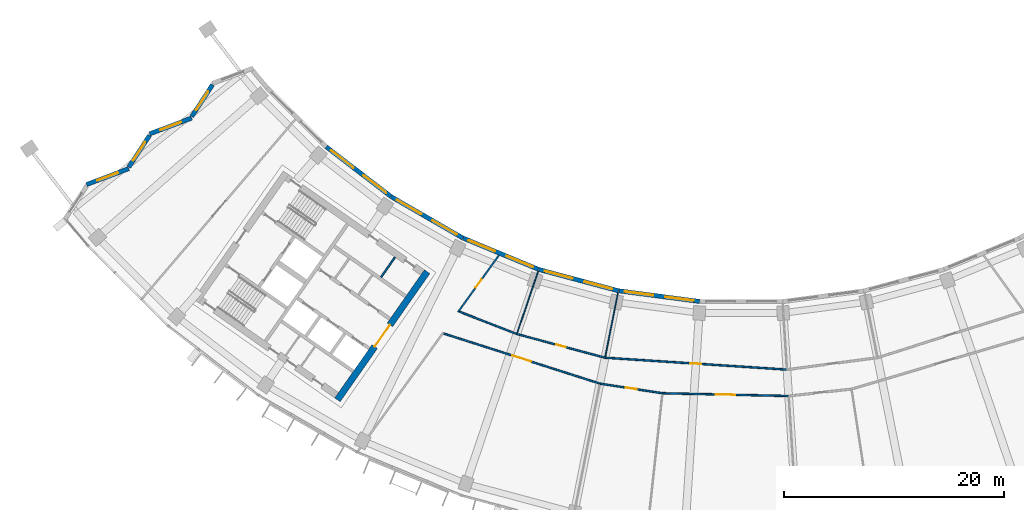
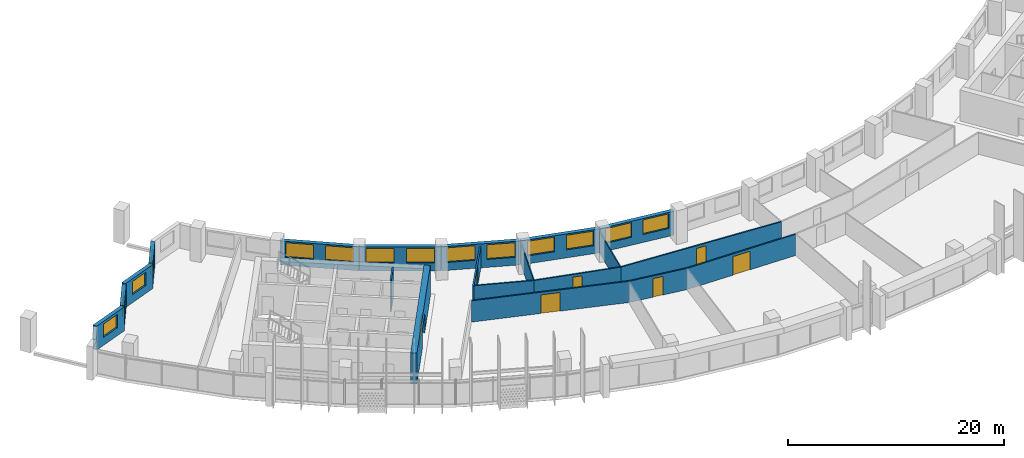
# One storey, part 4 of 27: 20 walls, 14 windows, 7 doors, 21 openings.
"""IFC4 building model written with IfcOpenShell, lengths in metres."""

from ifc_helpers import new_model, si_unit, direction, frame, frame_2d, origin, place, context, subcontext, project, spatial, rectangle, extrude, material, layer, layer_set, type_object, element, fill, save


model = new_model("IFC4")

# Units and contexts
model_context = context("Model", 3, precision=1e-05, world=origin(), true_north=direction((0.0, 1.0)))
body_context = subcontext(model_context, "Body", "Model", "MODEL_VIEW")
ifc_project = project(units=[si_unit("LENGTHUNIT", "METRE"), si_unit("AREAUNIT", "SQUARE_METRE"), si_unit("VOLUMEUNIT", "CUBIC_METRE"), si_unit("PLANEANGLEUNIT", "RADIAN"), si_unit("MASSUNIT", "GRAM", prefix="KILO")], contexts=[model_context])

# Site, building, storey
site_placement = place(None, origin())
site = spatial("IfcSite", under=ifc_project, at=site_placement, CompositionType="ELEMENT")
building_placement = place(site_placement, origin())
building = spatial("IfcBuilding", under=site, at=building_placement, Name="Qamariyya Broadcast Tower", CompositionType="ELEMENT")
storey_placement = place(building_placement, frame((0.0, 0.0, 187.300048828125)))
storey = spatial("IfcBuildingStorey", under=building, at=storey_placement, Name="L44", CompositionType="ELEMENT", Elevation=187.300048828125)

# Wall, opening, door
ifc_material_1 = material(Name="Concrete C60/75", Category="concrete")
ifc_layer_1 = layer(ifc_material_1, 0.60009765625)
ifc_layer_set_1 = layer_set([ifc_layer_1], Name="Core wall 600 mm Concrete C60/75")
wall_type_1 = type_object("IfcWallType", Name="Core wall 600 mm Concrete C60/75", PredefinedType="SHEAR", material=ifc_layer_set_1)
wall_1_placement = place(storey_placement, frame((-36.66748046875, -66.005126953125, 0.0), z_axis=(0.0, 0.0, 1.0), x_axis=(0.573568499524, 0.819157601658, 0.0)))
wall_1 = element("IfcWall", 1, at=wall_1_placement, inside=storey, type_object=wall_type_1, Name="k-W-L44-WA", PredefinedType="SHEAR", context=body_context, shape_type="SweptSolid", body=[
    extrude(rectangle(XDim=14.19970703125, YDim=0.60009765625, at=frame_2d((7.099853515625, 0.0))), origin(), (0.0, 0.0, 1.0), 3.5),
])
opening_1_placement = place(wall_1_placement, frame((5.89990234375, 0.0, 0.0)))
opening_1 = element("IfcOpeningElement", 2, at=opening_1_placement, cuts=wall_1, Name="Opening KD3-W1", PredefinedType="OPENING", context=body_context, shape_type="SweptSolid", body=[
    extrude(rectangle(XDim=2.39990234375, YDim=2.10009765625, at=frame_2d((1.199951171875, 1.050048828125))), frame((0.0, 0.31005859375, 0.0), z_axis=(0.0, -1.0, 0.0), x_axis=(1.0, 0.0, 0.0)), (0.0, 0.0, 1.0), 0.6201171875),
])
ifc_material_2 = material(Name="Steel fire-resisting door leaf", Category="steel")
door_type_1 = type_object("IfcDoorType", Name="Lift lobby door KD3", OperationType="DOUBLE_DOOR_SINGLE_SWING", PredefinedType="DOOR", material=ifc_material_2)
door_1_placement = place(opening_1_placement, origin())
door_1 = element("IfcDoor", 3, at=door_1_placement, inside=storey, type_object=door_type_1, Name="k-W-L44-WA-D1", OperationType="DOUBLE_DOOR_SINGLE_SWING", OverallHeight=2.10009765625, OverallWidth=2.39990234375, PredefinedType="DOOR", context=body_context, shape_type="SweptSolid", body=[
    extrude(rectangle(XDim=2.39990234375, YDim=2.10009765625, at=frame_2d((1.199951171875, 1.050048828125))), frame((0.0, 0.02490234375, 0.0), z_axis=(0.0, -1.0, 0.0), x_axis=(1.0, 0.0, 0.0)), (0.0, 0.0, 1.0), 0.050048828125),
])
fill(opening_1, door_1)

ifc_material_3 = material(Name="Gypsum board partition")
ifc_layer_2 = layer(ifc_material_3, 0.14990234375)
ifc_layer_set_2 = layer_set([ifc_layer_2], Name="Corridor partition 150 EI 60")
wall_type_2 = type_object("IfcWallType", Name="Corridor partition 150 EI 60", PredefinedType="PARTITIONING", material=ifc_layer_set_2)
wall_2_placement = place(storey_placement, frame((-12.8369140625, -64.53564453125, 0.0), z_axis=(0.0, 0.0, 1.0), x_axis=(-0.952206327701, 0.305455576945, 0.0)))
wall_2 = element("IfcWall", 4, at=wall_2_placement, inside=storey, type_object=wall_type_2, Name="Partition L44-003", PredefinedType="PARTITIONING", context=body_context, shape_type="SweptSolid", body=[
    extrude(rectangle(XDim=14.90478515625, YDim=0.14990234375, at=frame_2d((7.452392578125, 0.0))), origin(), (0.0, 0.0, 1.0), 2.39990234375),
])
opening_2_placement = place(wall_2_placement, frame((6.55224609375, 0.0, 0.0)))
opening_2 = element("IfcOpeningElement", 5, at=opening_2_placement, cuts=wall_2, Name="Opening L44-D01", PredefinedType="OPENING", context=body_context, shape_type="SweptSolid", body=[
    extrude(rectangle(XDim=1.800048828125, YDim=2.10009765625, at=frame_2d((0.89990234375, 1.050048828125))), frame((0.0, 0.0849609375, 0.0), z_axis=(0.0, -1.0, 0.0), x_axis=(1.0, 0.0, 0.0)), (0.0, 0.0, 1.0), 0.169921875),
])
ifc_material_4 = material(Name="Timber fire door leaf", Category="wood")
door_type_2 = type_object("IfcDoorType", Name="Double fire door 1800 x 2100 FD60", OperationType="NOTDEFINED", PredefinedType="DOOR", material=ifc_material_4)
door_2_placement = place(opening_2_placement, origin())
door_2 = element("IfcDoor", 6, at=door_2_placement, inside=storey, type_object=door_type_2, Name="Door L44-D01", OperationType="DOUBLE_DOOR_SINGLE_SWING", OverallHeight=2.10009765625, OverallWidth=1.800048828125, PredefinedType="DOOR", context=body_context, shape_type="SweptSolid", body=[
    extrude(rectangle(XDim=1.800048828125, YDim=2.10009765625, at=frame_2d((0.89990234375, 1.050048828125))), frame((0.0, 0.02490234375, 0.0), z_axis=(0.0, -1.0, 0.0), x_axis=(1.0, 0.0, 0.0)), (0.0, 0.0, 1.0), 0.050048828125),
])
fill(opening_2, door_2)

# Wall
wall_3_placement = place(storey_placement, frame((-25.599365234375, -57.998291015625, 0.0), z_axis=(0.0, 0.0, 1.0), x_axis=(0.931580498527, -0.363535108021, 0.0)))
element("IfcWall", 7, at=wall_3_placement, inside=storey, type_object=wall_type_2, Name="Partition L44-004", PredefinedType="PARTITIONING", context=body_context, shape_type="SweptSolid", body=[
    extrude(rectangle(XDim=5.603515625, YDim=0.14990234375, at=frame_2d((2.8017578125, 0.0))), origin(), (0.0, 0.0, 1.0), 2.39990234375),
])

# Wall, opening, door
wall_4_placement = place(storey_placement, frame((-22.0, -52.873046875, 0.0), z_axis=(0.0, 0.0, 1.0), x_axis=(-0.58417014289, -0.811631224236, 0.0)))
wall_4 = element("IfcWall", 8, at=wall_4_placement, inside=storey, type_object=wall_type_2, Name="Partition L44-005", PredefinedType="PARTITIONING", context=body_context, shape_type="SweptSolid", body=[
    extrude(rectangle(XDim=6.356201171875, YDim=0.14990234375, at=frame_2d((3.17822265625, 0.0))), origin(), (0.0, 0.0, 1.0), 2.39990234375),
])
opening_3_placement = place(wall_4_placement, frame((2.72802734375, 0.0, 0.0)))
opening_3 = element("IfcOpeningElement", 9, at=opening_3_placement, cuts=wall_4, Name="Opening L44-D06", PredefinedType="OPENING", context=body_context, shape_type="SweptSolid", body=[
    extrude(rectangle(XDim=0.89990234375, YDim=2.10009765625, at=frame_2d((0.449951171875, 1.050048828125))), frame((0.0, 0.0849609375, 0.0), z_axis=(0.0, -1.0, 0.0), x_axis=(1.0, 0.0, 0.0)), (0.0, 0.0, 1.0), 0.169921875),
])
door_type_3 = type_object("IfcDoorType", Name="Fire door 900 x 2100 FD60", OperationType="NOTDEFINED", PredefinedType="DOOR", material=ifc_material_4)
door_3_placement = place(opening_3_placement, origin())
door_3 = element("IfcDoor", 10, at=door_3_placement, inside=storey, type_object=door_type_3, Name="Door L44-D06", OperationType="SINGLE_SWING_RIGHT", OverallHeight=2.10009765625, OverallWidth=0.89990234375, PredefinedType="DOOR", context=body_context, shape_type="SweptSolid", body=[
    extrude(rectangle(XDim=0.89990234375, YDim=2.10009765625, at=frame_2d((0.449951171875, 1.050048828125))), frame((0.0, 0.02490234375, 0.0), z_axis=(0.0, -1.0, 0.0), x_axis=(1.0, 0.0, 0.0)), (0.0, 0.0, 1.0), 0.050048828125),
])
fill(opening_3, door_3)

wall_5_placement = place(storey_placement, frame((-20.379150390625, -60.035400390625, 0.0), z_axis=(0.0, 0.0, 1.0), x_axis=(0.965923478141, -0.258827808351, 0.0)))
wall_5 = element("IfcWall", 11, at=wall_5_placement, inside=storey, type_object=wall_type_2, Name="Partition L44-006", PredefinedType="PARTITIONING", context=body_context, shape_type="SweptSolid", body=[
    extrude(rectangle(XDim=8.293212890625, YDim=0.14990234375, at=frame_2d((4.146484375, 0.0))), origin(), (0.0, 0.0, 1.0), 2.39990234375),
])
opening_4_placement = place(wall_5_placement, frame((3.696533203125, 0.0, 0.0)))
opening_4 = element("IfcOpeningElement", 12, at=opening_4_placement, cuts=wall_5, Name="Opening L44-D07", PredefinedType="OPENING", context=body_context, shape_type="SweptSolid", body=[
    extrude(rectangle(XDim=0.89990234375, YDim=2.10009765625, at=frame_2d((0.449951171875, 1.050048828125))), frame((0.0, 0.0849609375, 0.0), z_axis=(0.0, -1.0, 0.0), x_axis=(1.0, 0.0, 0.0)), (0.0, 0.0, 1.0), 0.169921875),
])
door_4_placement = place(opening_4_placement, origin())
door_4 = element("IfcDoor", 13, at=door_4_placement, inside=storey, type_object=door_type_3, Name="Door L44-D07", OperationType="SINGLE_SWING_RIGHT", OverallHeight=2.10009765625, OverallWidth=0.89990234375, PredefinedType="DOOR", context=body_context, shape_type="SweptSolid", body=[
    extrude(rectangle(XDim=0.89990234375, YDim=2.10009765625, at=frame_2d((0.449951171875, 1.050048828125))), frame((0.0, 0.02490234375, 0.0), z_axis=(0.0, -1.0, 0.0), x_axis=(1.0, 0.0, 0.0)), (0.0, 0.0, 1.0), 0.050048828125),
])
fill(opening_4, door_4)

wall_6_placement = place(storey_placement, frame((-7.16162109375, -65.4091796875, 0.0), z_axis=(0.0, 0.0, 1.0), x_axis=(-0.988360881462, 0.15212747285, 0.0)))
wall_6 = element("IfcWall", 14, at=wall_6_placement, inside=storey, type_object=wall_type_2, Name="Partition L44-009", PredefinedType="PARTITIONING", context=body_context, shape_type="SweptSolid", body=[
    extrude(rectangle(XDim=5.7421875, YDim=0.14990234375, at=frame_2d((2.87109375, 0.0))), origin(), (0.0, 0.0, 1.0), 2.39990234375),
])
opening_5_placement = place(wall_6_placement, frame((2.37109375, 0.0, 0.0)))
opening_5 = element("IfcOpeningElement", 15, at=opening_5_placement, cuts=wall_6, Name="Opening L44-D02", PredefinedType="OPENING", context=body_context, shape_type="SweptSolid", body=[
    extrude(rectangle(XDim=1.0, YDim=2.10009765625, at=frame_2d((0.5, 1.050048828125))), frame((0.0, 0.0849609375, 0.0), z_axis=(0.0, -1.0, 0.0), x_axis=(1.0, 0.0, 0.0)), (0.0, 0.0, 1.0), 0.169921875),
])
door_type_4 = type_object("IfcDoorType", Name="Fire door 1000 x 2100 FD60", OperationType="NOTDEFINED", PredefinedType="DOOR", material=ifc_material_4)
door_5_placement = place(opening_5_placement, origin())
door_5 = element("IfcDoor", 16, at=door_5_placement, inside=storey, type_object=door_type_4, Name="Door L44-D02", OperationType="SINGLE_SWING_RIGHT", OverallHeight=2.10009765625, OverallWidth=1.0, PredefinedType="DOOR", context=body_context, shape_type="SweptSolid", body=[
    extrude(rectangle(XDim=1.0, YDim=2.10009765625, at=frame_2d((0.5, 1.050048828125))), frame((0.0, 0.02490234375, 0.0), z_axis=(0.0, -1.0, 0.0), x_axis=(1.0, 0.0, 0.0)), (0.0, 0.0, 1.0), 0.050048828125),
])
fill(opening_5, door_5)

wall_7_placement = place(storey_placement, frame((-12.36865234375, -62.181884765625, 0.0), z_axis=(0.0, 0.0, 1.0), x_axis=(0.99785964818, -0.065392067829, 0.0)))
wall_7 = element("IfcWall", 17, at=wall_7_placement, inside=storey, type_object=wall_type_2, Name="Partition L44-010", PredefinedType="PARTITIONING", context=body_context, shape_type="SweptSolid", body=[
    extrude(rectangle(XDim=16.550537109375, YDim=0.14990234375, at=frame_2d((8.275390625, 0.0))), origin(), (0.0, 0.0, 1.0), 2.39990234375),
])
opening_6_placement = place(wall_7_placement, frame((7.775390625, 0.0, 0.0)))
opening_6 = element("IfcOpeningElement", 18, at=opening_6_placement, cuts=wall_7, Name="Opening L44-D08", PredefinedType="OPENING", context=body_context, shape_type="SweptSolid", body=[
    extrude(rectangle(XDim=1.0, YDim=2.10009765625, at=frame_2d((0.5, 1.050048828125))), frame((0.0, 0.0849609375, 0.0), z_axis=(0.0, -1.0, 0.0), x_axis=(1.0, 0.0, 0.0)), (0.0, 0.0, 1.0), 0.169921875),
])
door_6_placement = place(opening_6_placement, origin())
door_6 = element("IfcDoor", 19, at=door_6_placement, inside=storey, type_object=door_type_4, Name="Door L44-D08", OperationType="SINGLE_SWING_RIGHT", OverallHeight=2.10009765625, OverallWidth=1.0, PredefinedType="DOOR", context=body_context, shape_type="SweptSolid", body=[
    extrude(rectangle(XDim=1.0, YDim=2.10009765625, at=frame_2d((0.5, 1.050048828125))), frame((0.0, 0.02490234375, 0.0), z_axis=(0.0, -1.0, 0.0), x_axis=(1.0, 0.0, 0.0)), (0.0, 0.0, 1.0), 0.050048828125),
])
fill(opening_6, door_6)

wall_8_placement = place(storey_placement, frame((4.303466796875, -65.6591796875, 0.0), z_axis=(0.0, 0.0, 1.0), x_axis=(-0.999762348583, 0.021800145758, 0.0)))
wall_8 = element("IfcWall", 20, at=wall_8_placement, inside=storey, type_object=wall_type_2, Name="Partition L44-013", PredefinedType="PARTITIONING", context=body_context, shape_type="SweptSolid", body=[
    extrude(rectangle(XDim=11.4677734375, YDim=0.14990234375, at=frame_2d((5.73388671875, 0.0))), origin(), (0.0, 0.0, 1.0), 2.39990234375),
])
opening_7_placement = place(wall_8_placement, frame((4.833984375, 0.0, 0.0)))
opening_7 = element("IfcOpeningElement", 21, at=opening_7_placement, cuts=wall_8, Name="Opening L44-D03", PredefinedType="OPENING", context=body_context, shape_type="SweptSolid", body=[
    extrude(rectangle(XDim=1.800048828125, YDim=2.10009765625, at=frame_2d((0.89990234375, 1.050048828125))), frame((0.0, 0.0849609375, 0.0), z_axis=(0.0, -1.0, 0.0), x_axis=(1.0, 0.0, 0.0)), (0.0, 0.0, 1.0), 0.169921875),
])
door_7_placement = place(opening_7_placement, origin())
door_7 = element("IfcDoor", 22, at=door_7_placement, inside=storey, type_object=door_type_2, Name="Door L44-D03", OperationType="DOUBLE_DOOR_SINGLE_SWING", OverallHeight=2.10009765625, OverallWidth=1.800048828125, PredefinedType="DOOR", context=body_context, shape_type="SweptSolid", body=[
    extrude(rectangle(XDim=1.800048828125, YDim=2.10009765625, at=frame_2d((0.89990234375, 1.050048828125))), frame((0.0, 0.02490234375, 0.0), z_axis=(0.0, -1.0, 0.0), x_axis=(1.0, 0.0, 0.0)), (0.0, 0.0, 1.0), 0.050048828125),
])
fill(opening_7, door_7)

# Walls
ifc_material_5 = material(Name="Gypsum board partition on steel studs", Category="steel")
ifc_layer_3 = layer(ifc_material_5, 0.14990234375)
ifc_layer_set_3 = layer_set([ifc_layer_3], Name="Gypsum board partition 150 mm")
wall_type_3 = type_object("IfcWallType", Name="Gypsum board partition 150 mm", PredefinedType="PARTITIONING", material=ifc_layer_set_3)
wall_9_placement = place(storey_placement, frame((-32.709228515625, -54.860107421875, 0.0), z_axis=(0.0, 0.0, 1.0), x_axis=(0.573633636671, 0.819111989218, 0.0)))
element("IfcWall", 23, at=wall_9_placement, inside=storey, type_object=wall_type_3, Name="k-W-L44-NP285", PredefinedType="PARTITIONING", context=body_context, shape_type="SweptSolid", body=[
    extrude(rectangle(XDim=2.199951171875, YDim=0.14990234375, at=frame_2d((1.10009765625, 0.0))), origin(), (0.0, 0.0, 1.0), 3.5),
])
ifc_layer_4 = layer(ifc_material_3, 0.10009765625)
ifc_layer_set_4 = layer_set([ifc_layer_4], Name="Partition 100")
wall_type_4 = type_object("IfcWallType", Name="Partition 100", PredefinedType="PARTITIONING", material=ifc_layer_set_4)
wall_10_placement = place(storey_placement, frame((-18.45068359375, -54.353759765625, 0.0), z_axis=(0.0, 0.0, 1.0), x_axis=(-0.321439527266, -0.946930108461, 0.0)))
element("IfcWall", 24, at=wall_10_placement, inside=storey, type_object=wall_type_4, Name="Partition L44-007", PredefinedType="PARTITIONING", context=body_context, shape_type="SweptSolid", body=[
    extrude(rectangle(XDim=5.925048828125, YDim=0.10009765625, at=frame_2d((2.96240234375, 0.0))), origin(), (0.0, 0.0, 1.0), 2.39990234375),
])
wall_11_placement = place(storey_placement, frame((-11.1982421875, -56.297119140625, 0.0), z_axis=(0.0, 0.0, 1.0), x_axis=(-0.195070020718, -0.980789318364, 0.0)))
element("IfcWall", 25, at=wall_11_placement, inside=storey, type_object=wall_type_4, Name="Partition L44-011", PredefinedType="PARTITIONING", context=body_context, shape_type="SweptSolid", body=[
    extrude(rectangle(XDim=5.9248046875, YDim=0.10009765625, at=frame_2d((2.96240234375, 0.0))), origin(), (0.0, 0.0, 1.0), 2.39990234375),
])

# Wall, opening, window
ifc_material_6 = material(Name="Terracotta", Category="masonry")
ifc_layer_5 = layer(ifc_material_6, 0.39990234375)
ifc_layer_set_5 = layer_set([ifc_layer_5], Name="Terracotta clad wall 400")
wall_type_5 = type_object("IfcWallType", Name="Terracotta clad wall 400", PredefinedType="SOLIDWALL", material=ifc_layer_set_5)
wall_12_placement = place(storey_placement, frame((-48.01708984375, -37.403564453125, 0.0), z_axis=(0.0, 0.0, 1.0), x_axis=(-0.546830529598, -0.837243317023, 0.0)))
wall_12 = element("IfcWall", 26, at=wall_12_placement, inside=storey, type_object=wall_type_5, Name="e-wl-L44-capW1", PredefinedType="SOLIDWALL", context=body_context, shape_type="SweptSolid", body=[
    extrude(rectangle(XDim=3.43994140625, YDim=0.39990234375, at=frame_2d((1.719970703125, 0.0))), origin(), (0.0, 0.0, 1.0), 2.699951171875),
])
opening_8_placement = place(wall_12_placement, frame((0.719970703125, 0.0, 0.89990234375)))
opening_8 = element("IfcOpeningElement", 27, at=opening_8_placement, cuts=wall_12, Name="Opening W4", PredefinedType="OPENING", context=body_context, shape_type="SweptSolid", body=[
    extrude(rectangle(XDim=2.0, YDim=1.5, at=frame_2d((1.0, 0.75))), frame((0.0, 0.2099609375, 0.0), z_axis=(0.0, -1.0, 0.0), x_axis=(1.0, 0.0, 0.0)), (0.0, 0.0, 1.0), 0.419921875),
])
ifc_material_7 = material(Name="Clear low-e double glazed unit in aluminium frame", Category="aluminium")
window_type_1 = type_object("IfcWindowType", Name="Horn bay window 2000 x 1500", PartitioningType="SINGLE_PANEL", PredefinedType="WINDOW", material=ifc_material_7)
window_1_placement = place(opening_8_placement, origin())
window_1 = element("IfcWindow", 28, at=window_1_placement, inside=storey, type_object=window_type_1, Name="e-w-L44-capW1", OverallHeight=1.5, OverallWidth=2.0, PartitioningType="SINGLE_PANEL", PredefinedType="WINDOW", context=body_context, shape_type="SweptSolid", body=[
    extrude(rectangle(XDim=2.0, YDim=1.5, at=frame_2d((1.0, 0.75))), frame((0.0, 0.030029296875, 0.0), z_axis=(0.0, -1.0, 0.0), x_axis=(1.0, 0.0, 0.0)), (0.0, 0.0, 1.0), 0.06005859375),
])
fill(opening_8, window_1)

wall_13_placement = place(storey_placement, frame((-49.903076171875, -40.42138671875, 0.0), z_axis=(0.0, 0.0, 1.0), x_axis=(-0.935975275331, -0.352065738136, 0.0)))
wall_13 = element("IfcWall", 29, at=wall_13_placement, inside=storey, type_object=wall_type_5, Name="e-wl-L44-capW2", PredefinedType="SOLIDWALL", context=body_context, shape_type="SweptSolid", body=[
    extrude(rectangle(XDim=4.087890625, YDim=0.39990234375, at=frame_2d((2.0439453125, 0.0))), origin(), (0.0, 0.0, 1.0), 2.699951171875),
])
opening_9_placement = place(wall_13_placement, frame((1.0439453125, 0.0, 0.89990234375)))
opening_9 = element("IfcOpeningElement", 30, at=opening_9_placement, cuts=wall_13, Name="Opening W4", PredefinedType="OPENING", context=body_context, shape_type="SweptSolid", body=[
    extrude(rectangle(XDim=2.0, YDim=1.5, at=frame_2d((1.0, 0.75))), frame((0.0, 0.2099609375, 0.0), z_axis=(0.0, -1.0, 0.0), x_axis=(1.0, 0.0, 0.0)), (0.0, 0.0, 1.0), 0.419921875),
])
window_2_placement = place(opening_9_placement, origin())
window_2 = element("IfcWindow", 31, at=window_2_placement, inside=storey, type_object=window_type_1, Name="e-w-L44-capW2", OverallHeight=1.5, OverallWidth=2.0, PartitioningType="SINGLE_PANEL", PredefinedType="WINDOW", context=body_context, shape_type="SweptSolid", body=[
    extrude(rectangle(XDim=2.0, YDim=1.5, at=frame_2d((1.0, 0.75))), frame((0.0, 0.030029296875, 0.0), z_axis=(0.0, -1.0, 0.0), x_axis=(1.0, 0.0, 0.0)), (0.0, 0.0, 1.0), 0.06005859375),
])
fill(opening_9, window_2)

wall_14_placement = place(storey_placement, frame((-53.734375, -41.998291015625, 0.0), z_axis=(0.0, 0.0, 1.0), x_axis=(-0.546711698714, -0.837320917265, 0.0)))
wall_14 = element("IfcWall", 32, at=wall_14_placement, inside=storey, type_object=wall_type_5, Name="e-wl-L44-capW3", PredefinedType="SOLIDWALL", context=body_context, shape_type="SweptSolid", body=[
    extrude(rectangle(XDim=3.4384765625, YDim=0.39990234375, at=frame_2d((1.71923828125, 0.0))), origin(), (0.0, 0.0, 1.0), 2.699951171875),
])
opening_10_placement = place(wall_14_placement, frame((0.71923828125, 0.0, 0.89990234375)))
opening_10 = element("IfcOpeningElement", 33, at=opening_10_placement, cuts=wall_14, Name="Opening W4", PredefinedType="OPENING", context=body_context, shape_type="SweptSolid", body=[
    extrude(rectangle(XDim=2.0, YDim=1.5, at=frame_2d((1.0, 0.75))), frame((0.0, 0.2099609375, 0.0), z_axis=(0.0, -1.0, 0.0), x_axis=(1.0, 0.0, 0.0)), (0.0, 0.0, 1.0), 0.419921875),
])
window_3_placement = place(opening_10_placement, origin())
window_3 = element("IfcWindow", 34, at=window_3_placement, inside=storey, type_object=window_type_1, Name="e-w-L44-capW3", OverallHeight=1.5, OverallWidth=2.0, PartitioningType="SINGLE_PANEL", PredefinedType="WINDOW", context=body_context, shape_type="SweptSolid", body=[
    extrude(rectangle(XDim=2.0, YDim=1.5, at=frame_2d((1.0, 0.75))), frame((0.0, 0.030029296875, 0.0), z_axis=(0.0, -1.0, 0.0), x_axis=(1.0, 0.0, 0.0)), (0.0, 0.0, 1.0), 0.06005859375),
])
fill(opening_10, window_3)

wall_15_placement = place(storey_placement, frame((-55.619384765625, -45.014892578125, 0.0), z_axis=(0.0, 0.0, 1.0), x_axis=(-0.935918764926, -0.35221593584, 0.0)))
wall_15 = element("IfcWall", 35, at=wall_15_placement, inside=storey, type_object=wall_type_5, Name="e-wl-L44-capW4", PredefinedType="SOLIDWALL", context=body_context, shape_type="SweptSolid", body=[
    extrude(rectangle(XDim=4.0888671875, YDim=0.39990234375, at=frame_2d((2.04443359375, 0.0))), origin(), (0.0, 0.0, 1.0), 2.699951171875),
])
opening_11_placement = place(wall_15_placement, frame((1.04443359375, 0.0, 0.89990234375)))
opening_11 = element("IfcOpeningElement", 36, at=opening_11_placement, cuts=wall_15, Name="Opening W4", PredefinedType="OPENING", context=body_context, shape_type="SweptSolid", body=[
    extrude(rectangle(XDim=2.0, YDim=1.5, at=frame_2d((1.0, 0.75))), frame((0.0, 0.2099609375, 0.0), z_axis=(0.0, -1.0, 0.0), x_axis=(1.0, 0.0, 0.0)), (0.0, 0.0, 1.0), 0.419921875),
])
window_4_placement = place(opening_11_placement, origin())
window_4 = element("IfcWindow", 37, at=window_4_placement, inside=storey, type_object=window_type_1, Name="e-w-L44-capW4", OverallHeight=1.5, OverallWidth=2.0, PartitioningType="SINGLE_PANEL", PredefinedType="WINDOW", context=body_context, shape_type="SweptSolid", body=[
    extrude(rectangle(XDim=2.0, YDim=1.5, at=frame_2d((1.0, 0.75))), frame((0.0, 0.030029296875, 0.0), z_axis=(0.0, -1.0, 0.0), x_axis=(1.0, 0.0, 0.0)), (0.0, 0.0, 1.0), 0.06005859375),
])
fill(opening_11, window_4)

# Wall, openings, windows
wall_16_placement = place(storey_placement, frame((-31.819091796875, -47.529541015625, 0.0), z_axis=(0.0, 0.0, 1.0), x_axis=(-0.79334647843, 0.608770371457, 0.0)))
wall_16 = element("IfcWall", 38, at=wall_16_placement, inside=storey, type_object=wall_type_5, Name="e-wl-L44-in20", PredefinedType="SOLIDWALL", context=body_context, shape_type="SweptSolid", body=[
    extrude(rectangle(XDim=7.380615234375, YDim=0.39990234375, at=frame_2d((3.6904296875, 0.0))), origin(), (0.0, 0.0, 1.0), 2.699951171875),
])
opening_12_placement = place(wall_16_placement, frame((4.25439453125, 0.0, 0.89990234375)))
opening_12 = element("IfcOpeningElement", 39, at=opening_12_placement, cuts=wall_16, Name="Opening W1", PredefinedType="OPENING", context=body_context, shape_type="SweptSolid", body=[
    extrude(rectangle(XDim=2.60009765625, YDim=1.64990234375, at=frame_2d((1.300048828125, 0.824951171875))), frame((0.0, 0.2099609375, 0.0), z_axis=(0.0, -1.0, 0.0), x_axis=(1.0, 0.0, 0.0)), (0.0, 0.0, 1.0), 0.419921875),
])
opening_13_placement = place(wall_16_placement, frame((0.5263671875, 0.0, 0.89990234375)))
opening_13 = element("IfcOpeningElement", 40, at=opening_13_placement, cuts=wall_16, Name="Opening W1", PredefinedType="OPENING", context=body_context, shape_type="SweptSolid", body=[
    extrude(rectangle(XDim=2.60009765625, YDim=1.64990234375, at=frame_2d((1.300048828125, 0.824951171875))), frame((0.0, 0.2099609375, 0.0), z_axis=(0.0, -1.0, 0.0), x_axis=(1.0, 0.0, 0.0)), (0.0, 0.0, 1.0), 0.419921875),
])
window_type_2 = type_object("IfcWindowType", Name="Ribbon window 2600 x 1650", PartitioningType="SINGLE_PANEL", PredefinedType="WINDOW", material=ifc_material_7)
window_5_placement = place(opening_12_placement, origin())
window_5 = element("IfcWindow", 41, at=window_5_placement, inside=storey, type_object=window_type_2, Name="e-w-L44-in02-0", OverallHeight=1.64990234375, OverallWidth=2.60009765625, PartitioningType="SINGLE_PANEL", PredefinedType="WINDOW", context=body_context, shape_type="SweptSolid", body=[
    extrude(rectangle(XDim=2.60009765625, YDim=1.64990234375, at=frame_2d((1.300048828125, 0.824951171875))), frame((0.0, 0.030029296875, 0.0), z_axis=(0.0, -1.0, 0.0), x_axis=(1.0, 0.0, 0.0)), (0.0, 0.0, 1.0), 0.06005859375),
])
fill(opening_12, window_5)
window_6_placement = place(opening_13_placement, origin())
window_6 = element("IfcWindow", 42, at=window_6_placement, inside=storey, type_object=window_type_2, Name="e-w-L44-in02-1", OverallHeight=1.64990234375, OverallWidth=2.60009765625, PartitioningType="SINGLE_PANEL", PredefinedType="WINDOW", context=body_context, shape_type="SweptSolid", body=[
    extrude(rectangle(XDim=2.60009765625, YDim=1.64990234375, at=frame_2d((1.300048828125, 0.824951171875))), frame((0.0, 0.030029296875, 0.0), z_axis=(0.0, -1.0, 0.0), x_axis=(1.0, 0.0, 0.0)), (0.0, 0.0, 1.0), 0.06005859375),
])
fill(opening_13, window_6)

wall_17_placement = place(storey_placement, frame((-25.27734375, -51.31396484375, 0.0), z_axis=(0.0, 0.0, 1.0), x_axis=(-0.866028517328, 0.499994607145, 0.0)))
wall_17 = element("IfcWall", 43, at=wall_17_placement, inside=storey, type_object=wall_type_5, Name="e-wl-L44-in30", PredefinedType="SOLIDWALL", context=body_context, shape_type="SweptSolid", body=[
    extrude(rectangle(XDim=7.5322265625, YDim=0.39990234375, at=frame_2d((3.76611328125, 0.0))), origin(), (0.0, 0.0, 1.0), 2.699951171875),
])
opening_14_placement = place(wall_17_placement, frame((4.330078125, 0.0, 0.89990234375)))
opening_14 = element("IfcOpeningElement", 44, at=opening_14_placement, cuts=wall_17, Name="Opening W1", PredefinedType="OPENING", context=body_context, shape_type="SweptSolid", body=[
    extrude(rectangle(XDim=2.60009765625, YDim=1.64990234375, at=frame_2d((1.300048828125, 0.824951171875))), frame((0.0, 0.2099609375, 0.0), z_axis=(0.0, -1.0, 0.0), x_axis=(1.0, 0.0, 0.0)), (0.0, 0.0, 1.0), 0.419921875),
])
opening_15_placement = place(wall_17_placement, frame((0.60205078125, 0.0, 0.89990234375)))
opening_15 = element("IfcOpeningElement", 45, at=opening_15_placement, cuts=wall_17, Name="Opening W1", PredefinedType="OPENING", context=body_context, shape_type="SweptSolid", body=[
    extrude(rectangle(XDim=2.60009765625, YDim=1.64990234375, at=frame_2d((1.300048828125, 0.824951171875))), frame((0.0, 0.2099609375, 0.0), z_axis=(0.0, -1.0, 0.0), x_axis=(1.0, 0.0, 0.0)), (0.0, 0.0, 1.0), 0.419921875),
])
window_7_placement = place(opening_14_placement, origin())
window_7 = element("IfcWindow", 46, at=window_7_placement, inside=storey, type_object=window_type_2, Name="e-w-L44-in03-0", OverallHeight=1.64990234375, OverallWidth=2.60009765625, PartitioningType="SINGLE_PANEL", PredefinedType="WINDOW", context=body_context, shape_type="SweptSolid", body=[
    extrude(rectangle(XDim=2.60009765625, YDim=1.64990234375, at=frame_2d((1.300048828125, 0.824951171875))), frame((0.0, 0.030029296875, 0.0), z_axis=(0.0, -1.0, 0.0), x_axis=(1.0, 0.0, 0.0)), (0.0, 0.0, 1.0), 0.06005859375),
])
fill(opening_14, window_7)
window_8_placement = place(opening_15_placement, origin())
window_8 = element("IfcWindow", 47, at=window_8_placement, inside=storey, type_object=window_type_2, Name="e-w-L44-in03-1", OverallHeight=1.64990234375, OverallWidth=2.60009765625, PartitioningType="SINGLE_PANEL", PredefinedType="WINDOW", context=body_context, shape_type="SweptSolid", body=[
    extrude(rectangle(XDim=2.60009765625, YDim=1.64990234375, at=frame_2d((1.300048828125, 0.824951171875))), frame((0.0, 0.030029296875, 0.0), z_axis=(0.0, -1.0, 0.0), x_axis=(1.0, 0.0, 0.0)), (0.0, 0.0, 1.0), 0.06005859375),
])
fill(opening_15, window_8)

wall_18_placement = place(storey_placement, frame((-18.433349609375, -54.1455078125, 0.0), z_axis=(0.0, 0.0, 1.0), x_axis=(-0.923867659443, 0.382712095229, 0.0)))
wall_18 = element("IfcWall", 48, at=wall_18_placement, inside=storey, type_object=wall_type_5, Name="e-wl-L44-in40", PredefinedType="SOLIDWALL", context=body_context, shape_type="SweptSolid", body=[
    extrude(rectangle(XDim=7.380859375, YDim=0.39990234375, at=frame_2d((3.6904296875, 0.0))), origin(), (0.0, 0.0, 1.0), 2.699951171875),
])
opening_16_placement = place(wall_18_placement, frame((4.25439453125, 0.0, 0.89990234375)))
opening_16 = element("IfcOpeningElement", 49, at=opening_16_placement, cuts=wall_18, Name="Opening W1", PredefinedType="OPENING", context=body_context, shape_type="SweptSolid", body=[
    extrude(rectangle(XDim=2.60009765625, YDim=1.64990234375, at=frame_2d((1.300048828125, 0.824951171875))), frame((0.0, 0.2099609375, 0.0), z_axis=(0.0, -1.0, 0.0), x_axis=(1.0, 0.0, 0.0)), (0.0, 0.0, 1.0), 0.419921875),
])
opening_17_placement = place(wall_18_placement, frame((0.5263671875, 0.0, 0.89990234375)))
opening_17 = element("IfcOpeningElement", 50, at=opening_17_placement, cuts=wall_18, Name="Opening W1", PredefinedType="OPENING", context=body_context, shape_type="SweptSolid", body=[
    extrude(rectangle(XDim=2.60009765625, YDim=1.64990234375, at=frame_2d((1.300048828125, 0.824951171875))), frame((0.0, 0.2099609375, 0.0), z_axis=(0.0, -1.0, 0.0), x_axis=(1.0, 0.0, 0.0)), (0.0, 0.0, 1.0), 0.419921875),
])
window_9_placement = place(opening_16_placement, origin())
window_9 = element("IfcWindow", 51, at=window_9_placement, inside=storey, type_object=window_type_2, Name="e-w-L44-in04-0", OverallHeight=1.64990234375, OverallWidth=2.60009765625, PartitioningType="SINGLE_PANEL", PredefinedType="WINDOW", context=body_context, shape_type="SweptSolid", body=[
    extrude(rectangle(XDim=2.60009765625, YDim=1.64990234375, at=frame_2d((1.300048828125, 0.824951171875))), frame((0.0, 0.030029296875, 0.0), z_axis=(0.0, -1.0, 0.0), x_axis=(1.0, 0.0, 0.0)), (0.0, 0.0, 1.0), 0.06005859375),
])
fill(opening_16, window_9)
window_10_placement = place(opening_17_placement, origin())
window_10 = element("IfcWindow", 52, at=window_10_placement, inside=storey, type_object=window_type_2, Name="e-w-L44-in04-1", OverallHeight=1.64990234375, OverallWidth=2.60009765625, PartitioningType="SINGLE_PANEL", PredefinedType="WINDOW", context=body_context, shape_type="SweptSolid", body=[
    extrude(rectangle(XDim=2.60009765625, YDim=1.64990234375, at=frame_2d((1.300048828125, 0.824951171875))), frame((0.0, 0.030029296875, 0.0), z_axis=(0.0, -1.0, 0.0), x_axis=(1.0, 0.0, 0.0)), (0.0, 0.0, 1.0), 0.06005859375),
])
fill(opening_17, window_10)

wall_19_placement = place(storey_placement, frame((-11.135009765625, -56.10791015625, 0.0), z_axis=(0.0, 0.0, 1.0), x_axis=(-0.965927073219, 0.258814391452, 0.0)))
wall_19 = element("IfcWall", 53, at=wall_19_placement, inside=storey, type_object=wall_type_5, Name="e-wl-L44-in50", PredefinedType="SOLIDWALL", context=body_context, shape_type="SweptSolid", body=[
    extrude(rectangle(XDim=7.5322265625, YDim=0.39990234375, at=frame_2d((3.76611328125, 0.0))), origin(), (0.0, 0.0, 1.0), 2.699951171875),
])
opening_18_placement = place(wall_19_placement, frame((4.330078125, 0.0, 0.89990234375)))
opening_18 = element("IfcOpeningElement", 54, at=opening_18_placement, cuts=wall_19, Name="Opening W1", PredefinedType="OPENING", context=body_context, shape_type="SweptSolid", body=[
    extrude(rectangle(XDim=2.60009765625, YDim=1.64990234375, at=frame_2d((1.300048828125, 0.824951171875))), frame((0.0, 0.2099609375, 0.0), z_axis=(0.0, -1.0, 0.0), x_axis=(1.0, 0.0, 0.0)), (0.0, 0.0, 1.0), 0.419921875),
])
opening_19_placement = place(wall_19_placement, frame((0.60205078125, 0.0, 0.89990234375)))
opening_19 = element("IfcOpeningElement", 55, at=opening_19_placement, cuts=wall_19, Name="Opening W1", PredefinedType="OPENING", context=body_context, shape_type="SweptSolid", body=[
    extrude(rectangle(XDim=2.60009765625, YDim=1.64990234375, at=frame_2d((1.300048828125, 0.824951171875))), frame((0.0, 0.2099609375, 0.0), z_axis=(0.0, -1.0, 0.0), x_axis=(1.0, 0.0, 0.0)), (0.0, 0.0, 1.0), 0.419921875),
])
window_11_placement = place(opening_18_placement, origin())
window_11 = element("IfcWindow", 56, at=window_11_placement, inside=storey, type_object=window_type_2, Name="e-w-L44-in05-0", OverallHeight=1.64990234375, OverallWidth=2.60009765625, PartitioningType="SINGLE_PANEL", PredefinedType="WINDOW", context=body_context, shape_type="SweptSolid", body=[
    extrude(rectangle(XDim=2.60009765625, YDim=1.64990234375, at=frame_2d((1.300048828125, 0.824951171875))), frame((0.0, 0.030029296875, 0.0), z_axis=(0.0, -1.0, 0.0), x_axis=(1.0, 0.0, 0.0)), (0.0, 0.0, 1.0), 0.06005859375),
])
fill(opening_18, window_11)
window_12_placement = place(opening_19_placement, origin())
window_12 = element("IfcWindow", 57, at=window_12_placement, inside=storey, type_object=window_type_2, Name="e-w-L44-in05-1", OverallHeight=1.64990234375, OverallWidth=2.60009765625, PartitioningType="SINGLE_PANEL", PredefinedType="WINDOW", context=body_context, shape_type="SweptSolid", body=[
    extrude(rectangle(XDim=2.60009765625, YDim=1.64990234375, at=frame_2d((1.300048828125, 0.824951171875))), frame((0.0, 0.030029296875, 0.0), z_axis=(0.0, -1.0, 0.0), x_axis=(1.0, 0.0, 0.0)), (0.0, 0.0, 1.0), 0.06005859375),
])
fill(opening_19, window_12)

wall_20_placement = place(storey_placement, frame((-3.79150390625, -57.0712890625, 0.0), z_axis=(0.0, 0.0, 1.0), x_axis=(-0.99144438474, 0.130529812564, 0.0)))
wall_20 = element("IfcWall", 58, at=wall_20_placement, inside=storey, type_object=wall_type_5, Name="e-wl-L44-in60", PredefinedType="SOLIDWALL", context=body_context, shape_type="SweptSolid", body=[
    extrude(rectangle(XDim=7.380615234375, YDim=0.39990234375, at=frame_2d((3.6904296875, 0.0))), origin(), (0.0, 0.0, 1.0), 2.699951171875),
])
opening_20_placement = place(wall_20_placement, frame((4.25439453125, 0.0, 0.89990234375)))
opening_20 = element("IfcOpeningElement", 59, at=opening_20_placement, cuts=wall_20, Name="Opening W1", PredefinedType="OPENING", context=body_context, shape_type="SweptSolid", body=[
    extrude(rectangle(XDim=2.60009765625, YDim=1.64990234375, at=frame_2d((1.300048828125, 0.824951171875))), frame((0.0, 0.2099609375, 0.0), z_axis=(0.0, -1.0, 0.0), x_axis=(1.0, 0.0, 0.0)), (0.0, 0.0, 1.0), 0.419921875),
])
opening_21_placement = place(wall_20_placement, frame((0.5263671875, 0.0, 0.89990234375)))
opening_21 = element("IfcOpeningElement", 60, at=opening_21_placement, cuts=wall_20, Name="Opening W1", PredefinedType="OPENING", context=body_context, shape_type="SweptSolid", body=[
    extrude(rectangle(XDim=2.60009765625, YDim=1.64990234375, at=frame_2d((1.300048828125, 0.824951171875))), frame((0.0, 0.2099609375, 0.0), z_axis=(0.0, -1.0, 0.0), x_axis=(1.0, 0.0, 0.0)), (0.0, 0.0, 1.0), 0.419921875),
])
window_13_placement = place(opening_20_placement, origin())
window_13 = element("IfcWindow", 61, at=window_13_placement, inside=storey, type_object=window_type_2, Name="e-w-L44-in06-0", OverallHeight=1.64990234375, OverallWidth=2.60009765625, PartitioningType="SINGLE_PANEL", PredefinedType="WINDOW", context=body_context, shape_type="SweptSolid", body=[
    extrude(rectangle(XDim=2.60009765625, YDim=1.64990234375, at=frame_2d((1.300048828125, 0.824951171875))), frame((0.0, 0.030029296875, 0.0), z_axis=(0.0, -1.0, 0.0), x_axis=(1.0, 0.0, 0.0)), (0.0, 0.0, 1.0), 0.06005859375),
])
fill(opening_20, window_13)
window_14_placement = place(opening_21_placement, origin())
window_14 = element("IfcWindow", 62, at=window_14_placement, inside=storey, type_object=window_type_2, Name="e-w-L44-in06-1", OverallHeight=1.64990234375, OverallWidth=2.60009765625, PartitioningType="SINGLE_PANEL", PredefinedType="WINDOW", context=body_context, shape_type="SweptSolid", body=[
    extrude(rectangle(XDim=2.60009765625, YDim=1.64990234375, at=frame_2d((1.300048828125, 0.824951171875))), frame((0.0, 0.030029296875, 0.0), z_axis=(0.0, -1.0, 0.0), x_axis=(1.0, 0.0, 0.0)), (0.0, 0.0, 1.0), 0.06005859375),
])
fill(opening_21, window_14)

save(model, "model.ifc")
